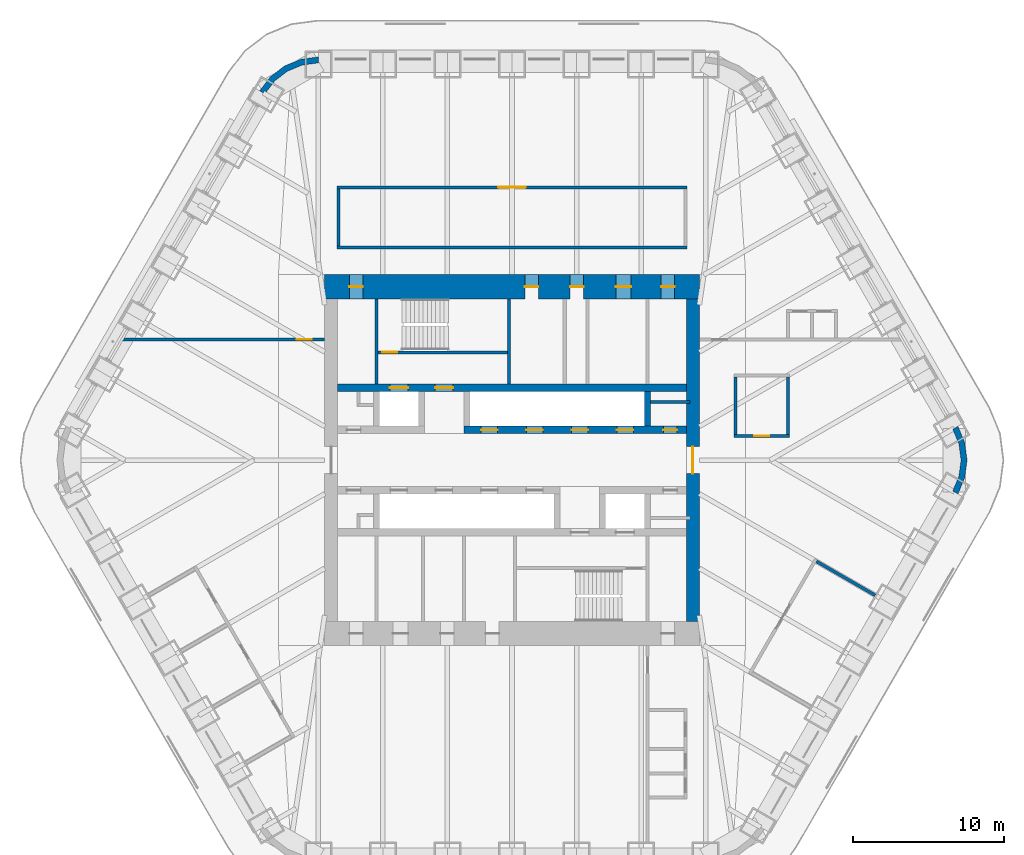
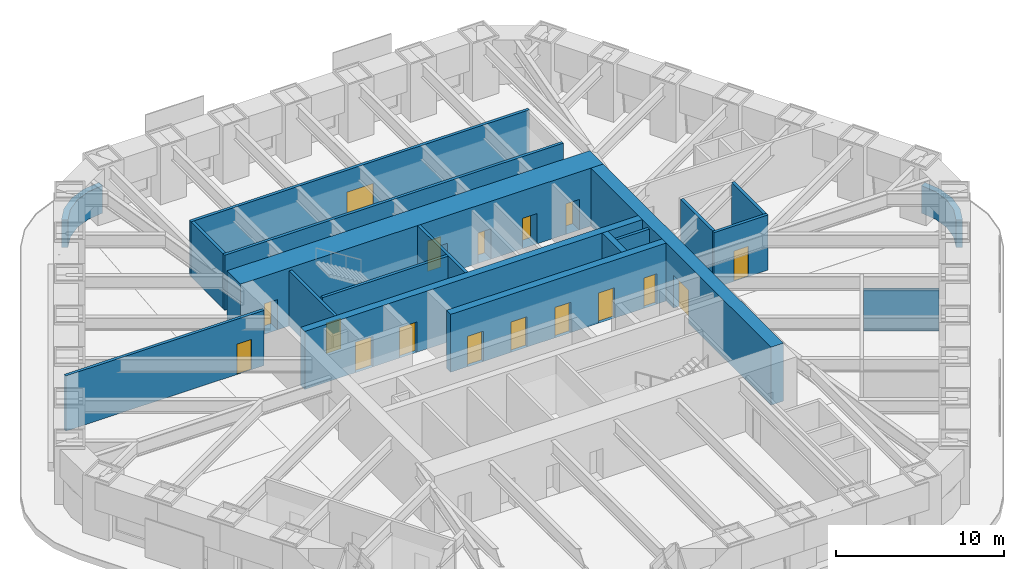
# One storey, part 15 of 18: 19 walls, 17 doors, 17 openings.
"""IFC4 building model written with IfcOpenShell, lengths in metres."""

import ifcopenshell
import ifcopenshell.guid

model = None  # the IFC model being written
_history = None  # IfcOwnerHistory: only IFC2X3 demands one
_inside = {}  # id of a spatial element -> (the spatial element, [elements in it])
_under = {}  # id of a project, library or spatial element -> (it, [spatial elements below it])
_declared = {}  # id of a project -> (the project, [libraries it declares])
_typed = {}  # id of a type object -> (the type object, [elements of that type])
_made_of = {}  # id of a material, layer set ... -> (it, [elements and type objects made of it])


def new_model(schema):
    """Start an empty IFC model of exactly this schema.

    Asked for "IFC4X3", IfcOpenShell would pick the latest addendum, in which some entities
    have other attributes; the version numbers below select the first issue.
    IFC2X3 requires an IfcOwnerHistory on every rooted entity: one is made here for all.
    """
    global model, _history
    if schema == "IFC4X3":
        model = ifcopenshell.file(schema_version=(4, 3, 0, 0))
    else:
        model = ifcopenshell.file(schema=schema)
    _inside.clear()
    _under.clear()
    _declared.clear()
    _typed.clear()
    _made_of.clear()
    _history = None
    if model.schema == "IFC2X3":
        org = make("IfcOrganization", Name="unknown")
        user = make(
            "IfcPersonAndOrganization",
            ThePerson=make("IfcPerson", FamilyName="unknown"),
            TheOrganization=org,
        )
        app = make(
            "IfcApplication",
            ApplicationDeveloper=org,
            Version="unknown",
            ApplicationFullName="unknown",
            ApplicationIdentifier="unknown",
        )
        _history = make(
            "IfcOwnerHistory",
            OwningUser=user,
            OwningApplication=app,
            ChangeAction="ADDED",
            CreationDate=0,
        )
    return model


def make(cls, **values):
    """One entity of the class cls with the attributes given. An attribute that is None is left unset."""
    return model.create_entity(
        cls, **{name: value for name, value in values.items() if value is not None}
    )


def rooted(cls, **values):
    """An entity with a GlobalId (a new one), such as an element, a storey or a relation."""
    return make(cls, GlobalId=ifcopenshell.guid.new(), OwnerHistory=_history, **values)


def si_unit(unit_type, name, prefix=None):
    """IfcSIUnit, for example si_unit("LENGTHUNIT", "METRE", prefix="MILLI")."""
    return make("IfcSIUnit", UnitType=unit_type, Prefix=prefix, Name=name)


def assignment(units):
    """IfcUnitAssignment: the units of a project."""
    return None if units is None else make("IfcUnitAssignment", Units=units)


def point(xyz):
    """IfcCartesianPoint."""
    return None if xyz is None else make("IfcCartesianPoint", Coordinates=xyz)


def direction(xyz):
    """IfcDirection."""
    return None if xyz is None else make("IfcDirection", DirectionRatios=xyz)


def frame(location, z_axis=None, x_axis=None):
    """IfcAxis2Placement3D, a coordinate frame: its origin and axes. An axis left out is left unset."""
    return make(
        "IfcAxis2Placement3D",
        Location=point(location),
        Axis=direction(z_axis),
        RefDirection=direction(x_axis),
    )


def frame_2d(location, x_axis=None):
    """IfcAxis2Placement2D, a coordinate frame in the plane: its origin and x axis."""
    return make(
        "IfcAxis2Placement2D", Location=point(location), RefDirection=direction(x_axis)
    )


def origin():
    """The frame at (0, 0, 0) with its axes left unset."""
    return frame((0.0, 0.0, 0.0))


def place(relative_to, where):
    """IfcLocalPlacement: puts the frame where relative to a parent placement (None: the world)."""
    return make(
        "IfcLocalPlacement", PlacementRelTo=relative_to, RelativePlacement=where
    )


def context(
    kind, dimensions, precision=None, world=None, true_north=None, identifier=None
):
    """IfcGeometricRepresentationContext, for example the 3D "Model" context."""
    return make(
        "IfcGeometricRepresentationContext",
        ContextIdentifier=identifier,
        ContextType=kind,
        CoordinateSpaceDimension=dimensions,
        Precision=precision,
        WorldCoordinateSystem=world,
        TrueNorth=true_north,
    )


def subcontext(parent, identifier, kind, view, scale=None):
    """IfcGeometricRepresentationSubContext, for example "Body" below "Model"."""
    return make(
        "IfcGeometricRepresentationSubContext",
        ContextIdentifier=identifier,
        ContextType=kind,
        ParentContext=parent,
        TargetScale=scale,
        TargetView=view,
    )


def project(units=None, contexts=None):
    """IfcProject with its units and contexts."""
    return rooted(
        "IfcProject",
        Name="project",
        RepresentationContexts=contexts,
        UnitsInContext=assignment(units),
    )


def spatial(cls, under=None, at=None, **own):
    """A site, building, storey or space (cls), placed at a placement, below another one or the project."""
    s = rooted(cls, ObjectPlacement=at, **own)
    if under is not None:
        _under.setdefault(under.id(), (under, []))[1].append(s)
    return s


def polyline(points):
    """IfcPolyline through the points."""
    return make("IfcPolyline", Points=[point(p) for p in points])


def profile(cls, at=None, kind="AREA", **sizes):
    """A parametric profile (cls). Its sizes go by their IFC names, for example OverallWidth=200.0."""
    return make(cls, ProfileType=kind, Position=at, **sizes)


def rectangle(**sizes):
    """IfcRectangleProfileDef."""
    return profile("IfcRectangleProfileDef", **sizes)


def outline(outer, holes=None, kind="AREA"):
    """IfcArbitraryClosedProfileDef: a profile drawn as a closed curve; with holes, ...WithVoids."""
    if holes is None:
        return make("IfcArbitraryClosedProfileDef", ProfileType=kind, OuterCurve=outer)
    return make(
        "IfcArbitraryProfileDefWithVoids",
        ProfileType=kind,
        OuterCurve=outer,
        InnerCurves=holes,
    )


def extrude(swept, where, along, depth):
    """IfcExtrudedAreaSolid: the profile swept, set in the frame where, extruded along a direction by depth."""
    return make(
        "IfcExtrudedAreaSolid",
        SweptArea=swept,
        Position=where,
        ExtrudedDirection=direction(along),
        Depth=depth,
    )


def shape(context_of_items, identifier, shape_type, items):
    """IfcShapeRepresentation: the items that make up one representation, for example the "Body"."""
    return make(
        "IfcShapeRepresentation",
        ContextOfItems=context_of_items,
        RepresentationIdentifier=identifier,
        RepresentationType=shape_type,
        Items=items,
    )


def material(Name=None, Category=None):
    """IfcMaterial."""
    return make("IfcMaterial", Name=Name, Category=Category)


def layer(
    of_material, thickness, ventilated=None, Name=None, Category=None, Priority=None
):
    """IfcMaterialLayer: one layer of a wall or slab, of a material (None: an air gap)."""
    return make(
        "IfcMaterialLayer",
        Material=of_material,
        LayerThickness=thickness,
        IsVentilated=ventilated,
        Name=Name,
        Category=Category,
        Priority=Priority,
    )


def layer_set(layers, Name=None):
    """IfcMaterialLayerSet."""
    return make("IfcMaterialLayerSet", MaterialLayers=layers, LayerSetName=Name)


def made_of(thing, what):
    """Note that an element or type object is made of a material, layer set ...; save() writes the relation."""
    if what is not None:
        _made_of.setdefault(what.id(), (what, []))[1].append(thing)
    return thing


def type_object(cls, material=None, **own):
    """A type object (cls), such as IfcWallType, which elements share."""
    return made_of(rooted(cls, **own), material)


def element(
    cls,
    number,
    at=None,
    inside=None,
    cuts=None,
    type_object=None,
    material=None,
    context=None,
    identifier="Body",
    shape_type=None,
    held_by="IfcProductDefinitionShape",
    body=None,
    shapes=None,
    **own,
):
    """One element of the class cls, such as IfcWall. Its Tag is "e" and its number.

    at: its placement. inside: the storey or other place that contains it. cuts: it is an
    opening in that element (IfcRelVoidsElement). A single representation is given by context,
    identifier, shape_type and body (its items); several are given by shapes. held_by: the class
    of the entity that holds the representations. save() writes the other relations.
    """
    e = rooted(cls, Tag="e%d" % number, ObjectPlacement=at, **own)
    if body is not None:
        shapes = [shape(context, identifier, shape_type, body)]
    if shapes is not None:
        e.Representation = make(held_by, Representations=shapes)
    if inside is not None:
        _inside.setdefault(inside.id(), (inside, []))[1].append(e)
    if cuts is not None:
        rooted(
            "IfcRelVoidsElement", RelatingBuildingElement=cuts, RelatedOpeningElement=e
        )
    if type_object is not None:
        _typed.setdefault(type_object.id(), (type_object, []))[1].append(e)
    return made_of(e, material)


def fill(opening, filler):
    """IfcRelFillsElement: the door or window that sits in an opening."""
    return rooted(
        "IfcRelFillsElement",
        RelatingOpeningElement=opening,
        RelatedBuildingElement=filler,
    )


def aggregate(whole, parts):
    """IfcRelAggregates: a whole, such as a stair, and the parts it consists of."""
    return rooted("IfcRelAggregates", RelatingObject=whole, RelatedObjects=parts)


def save(model, path):
    """Write the relations noted so far, then the file.

    IfcRelAggregates (storeys below a building ...), IfcRelContainedInSpatialStructure (elements
    in a storey), IfcRelDefinesByType, IfcRelAssociatesMaterial and IfcRelDeclares: one each for
    every whole, place, type object, material and project.
    """
    for whole, parts in _under.values():
        aggregate(whole, parts)
    for where, things in _inside.values():
        rooted(
            "IfcRelContainedInSpatialStructure",
            RelatedElements=things,
            RelatingStructure=where,
        )
    for kind, things in _typed.values():
        rooted("IfcRelDefinesByType", RelatedObjects=things, RelatingType=kind)
    for what, things in _made_of.values():
        rooted("IfcRelAssociatesMaterial", RelatedObjects=things, RelatingMaterial=what)
    for by, libraries in _declared.values():
        rooted("IfcRelDeclares", RelatingContext=by, RelatedDefinitions=libraries)
    model.write(path)


model = new_model("IFC4")

# Units and contexts
model_context = context("Model", 3, precision=1e-05, world=origin(), true_north=direction((0.0, 1.0)))
body_context = subcontext(model_context, "Body", "Model", "MODEL_VIEW")
ifc_project = project(units=[si_unit("LENGTHUNIT", "METRE"), si_unit("AREAUNIT", "SQUARE_METRE"), si_unit("VOLUMEUNIT", "CUBIC_METRE"), si_unit("PLANEANGLEUNIT", "RADIAN"), si_unit("MASSUNIT", "GRAM", prefix="KILO")], contexts=[model_context])

# Site, building, storey
site_placement = place(None, origin())
site = spatial("IfcSite", under=ifc_project, at=site_placement, CompositionType="ELEMENT")
building_placement = place(site_placement, origin())
building = spatial("IfcBuilding", under=site, at=building_placement, Name="Tarfa Lantern Tower", CompositionType="ELEMENT")
storey_placement = place(building_placement, frame((0.0, 0.0, 311.5)))
storey = spatial("IfcBuildingStorey", under=building, at=storey_placement, Name="L70", CompositionType="ELEMENT", Elevation=311.5)

# Walls
ifc_material_1 = material(Name="Limestone cladding on blockwork", Category="masonry")
ifc_layer_1 = layer(ifc_material_1, 0.39990234375)
ifc_layer_set_1 = layer_set([ifc_layer_1], Name="EW2 CURVED STONE CORNER 400")
wall_type_1 = type_object("IfcWallType", Name="EW2 CURVED STONE CORNER 400", PredefinedType="SOLIDWALL", material=ifc_layer_set_1)
wall_1_placement = place(storey_placement, origin())
element("IfcWall", 1, at=wall_1_placement, inside=storey, type_object=wall_type_1, Name="Stone corner N-NW", PredefinedType="SOLIDWALL", context=body_context, shape_type="SweptSolid", body=[
    extrude(outline(polyline([(-12.845947265625, 26.75), (-14.0107421875, 26.5966796875), (-15.095947265625, 26.147216796875), (-16.028076171875, 25.431884765625), (-16.7431640625, 24.5), (-16.396728515625, 24.300048828125), (-15.7451171875, 25.149169921875), (-14.89599609375, 25.80078125), (-13.9072265625, 26.210205078125), (-12.845947265625, 26.35009765625), (-12.845947265625, 26.75)])), origin(), (0.0, 0.0, 1.0), 2.0),
])
wall_2_placement = place(storey_placement, origin())
element("IfcWall", 2, at=wall_2_placement, inside=storey, type_object=wall_type_1, Name="Stone corner SE-NE", PredefinedType="SOLIDWALL", context=body_context, shape_type="SweptSolid", body=[
    extrude(outline(polyline([(29.589111328125, -2.25), (30.038818359375, -1.164794921875), (30.192138671875, 0.0), (30.038818359375, 1.164794921875), (29.589111328125, 2.25), (29.24267578125, 2.050048828125), (29.65234375, 1.061279296875), (29.7919921875, 0.0), (29.65234375, -1.061279296875), (29.24267578125, -2.050048828125), (29.589111328125, -2.25)])), origin(), (0.0, 0.0, 1.0), 2.0),
])
ifc_material_2 = material(Name="Concrete blockwork", Category="masonry")
ifc_layer_2 = layer(ifc_material_2, 0.199951171875)
ifc_layer_set_2 = layer_set([ifc_layer_2], Name="IW1 BLOCKWORK PARTITION 200 EI 120")
wall_type_2 = type_object("IfcWallType", Name="IW1 BLOCKWORK PARTITION 200 EI 120", PredefinedType="PARTITIONING", material=ifc_layer_set_2)
wall_3_placement = place(storey_placement, frame((-9.0, 5.050048828125, 0.0), z_axis=(0.0, 0.0, 1.0), x_axis=(0.0, 1.0, 0.0)))
element("IfcWall", 3, at=wall_3_placement, inside=storey, type_object=wall_type_2, Name="Core partition", PredefinedType="PARTITIONING", context=body_context, shape_type="SweptSolid", body=[
    extrude(rectangle(XDim=5.64990234375, YDim=0.199951171875, at=frame_2d((2.824951171875, 0.0))), origin(), (0.0, 0.0, 1.0), 4.0),
])
wall_4_placement = place(storey_placement, frame((9.199951171875, 3.85009765625, 0.0), z_axis=(0.0, 0.0, 1.0), x_axis=(1.0, 0.0, 0.0)))
element("IfcWall", 4, at=wall_4_placement, inside=storey, type_object=wall_type_2, Name="Core partition", PredefinedType="PARTITIONING", context=body_context, shape_type="SweptSolid", body=[
    extrude(rectangle(XDim=2.60009765625, YDim=0.199951171875, at=frame_2d((1.300048828125, 0.0))), origin(), (0.0, 0.0, 1.0), 4.0),
])
ifc_material_3 = material(Name="Gypsum board on steel studs", Category="steel")
ifc_layer_3 = layer(ifc_material_3, 0.2099609375)
ifc_layer_set_3 = layer_set([ifc_layer_3], Name="IW2 ACOUSTIC PARTITION 200")
wall_type_3 = type_object("IfcWallType", Name="IW2 ACOUSTIC PARTITION 200", PredefinedType="PARTITIONING", material=ifc_layer_set_3)
wall_5_placement = place(storey_placement, frame((-11.60009765625, 14.10009765625, 0.0), z_axis=(0.0, 0.0, 1.0), x_axis=(1.0, 0.0, 0.0)))
element("IfcWall", 5, at=wall_5_placement, inside=storey, type_object=wall_type_3, Name="Partition", PredefinedType="PARTITIONING", context=body_context, shape_type="SweptSolid", body=[
    extrude(rectangle(XDim=23.2001953125, YDim=0.199951171875, at=frame_2d((11.60009765625, 0.0))), origin(), (0.0, 0.0, 1.0), 4.0),
])

# Wall, opening, door
wall_6_placement = place(storey_placement, frame((-11.60009765625, 18.10009765625, 0.0), z_axis=(0.0, 0.0, 1.0), x_axis=(1.0, 0.0, 0.0)))
wall_6 = element("IfcWall", 6, at=wall_6_placement, inside=storey, type_object=wall_type_3, Name="Partition", PredefinedType="PARTITIONING", context=body_context, shape_type="SweptSolid", body=[
    extrude(rectangle(XDim=23.2001953125, YDim=0.199951171875, at=frame_2d((11.60009765625, 0.0))), origin(), (0.0, 0.0, 1.0), 4.0),
])
opening_1_placement = place(wall_6_placement, frame((10.699951171875, 0.0, 0.0)))
opening_1 = element("IfcOpeningElement", 7, at=opening_1_placement, cuts=wall_6, Name="Opening D26", PredefinedType="OPENING", context=body_context, shape_type="SweptSolid", body=[
    extrude(rectangle(XDim=1.800048828125, YDim=2.39990234375, at=frame_2d((0.89990234375, 1.199951171875))), frame((0.0, 0.10986328125, 0.0), z_axis=(0.0, -1.0, 0.0), x_axis=(1.0, 0.0, 0.0)), (0.0, 0.0, 1.0), 0.219970703125),
])
ifc_material_4 = material(Name="Timber door", Category="wood")
door_type_1 = type_object("IfcDoorType", Name="DR2 ROOM DOOR 1800x2400", OperationType="DOUBLE_DOOR_SINGLE_SWING", PredefinedType="DOOR", material=ifc_material_4)
door_1_placement = place(opening_1_placement, frame((1.800048828125, 0.0, 0.0), z_axis=(0.0, 0.0, 1.0), x_axis=(-1.0, 0.0, 0.0)))
door_1 = element("IfcDoor", 8, at=door_1_placement, inside=storey, type_object=door_type_1, Name="Meeting room door", OperationType="DOUBLE_DOOR_SINGLE_SWING", OverallHeight=2.39990234375, OverallWidth=1.800048828125, PredefinedType="DOOR", context=body_context, shape_type="SweptSolid", body=[
    extrude(rectangle(XDim=1.800048828125, YDim=2.39990234375, at=frame_2d((0.89990234375, 1.199951171875))), frame((0.0, 0.02490234375, 0.0), z_axis=(0.0, -1.0, 0.0), x_axis=(1.0, 0.0, 0.0)), (0.0, 0.0, 1.0), 0.050048828125),
])
fill(opening_1, door_1)

# Walls
wall_7_placement = place(storey_placement, frame((-11.5, 14.199951171875, 0.0), z_axis=(0.0, 0.0, 1.0), x_axis=(0.0, 1.0, 0.0)))
element("IfcWall", 9, at=wall_7_placement, inside=storey, type_object=wall_type_3, Name="Partition", PredefinedType="PARTITIONING", context=body_context, shape_type="SweptSolid", body=[
    extrude(rectangle(XDim=3.800048828125, YDim=0.199951171875, at=frame_2d((1.89990234375, 0.0))), origin(), (0.0, 0.0, 1.0), 4.0),
])
wall_8_placement = place(storey_placement, frame((20.19775390625, -6.716552734375, 0.0), z_axis=(0.0, 0.0, 1.0), x_axis=(0.866017533419, -0.500013631625, 0.0)))
element("IfcWall", 10, at=wall_8_placement, inside=storey, type_object=wall_type_3, Name="Partition", PredefinedType="PARTITIONING", context=body_context, shape_type="SweptSolid", body=[
    extrude(rectangle(XDim=4.499755859375, YDim=0.199951171875, at=frame_2d((2.25, 0.0))), origin(), (0.0, 0.0, 1.0), 2.991943359375),
])

# Wall, opening, door
wall_9_placement = place(storey_placement, frame((14.72509765625, 1.60009765625, 0.0), z_axis=(0.0, 0.0, 1.0), x_axis=(1.0, 0.0, 0.0)))
wall_9 = element("IfcWall", 11, at=wall_9_placement, inside=storey, type_object=wall_type_3, Name="Partition", PredefinedType="PARTITIONING", context=body_context, shape_type="SweptSolid", body=[
    extrude(rectangle(XDim=3.699951171875, YDim=0.199951171875, at=frame_2d((1.85009765625, 0.0))), origin(), (0.0, 0.0, 1.0), 4.0),
])
opening_2_placement = place(wall_9_placement, frame((1.35009765625, 0.0, 0.0)))
opening_2 = element("IfcOpeningElement", 12, at=opening_2_placement, cuts=wall_9, Name="Opening D21", PredefinedType="OPENING", context=body_context, shape_type="SweptSolid", body=[
    extrude(rectangle(XDim=1.0, YDim=2.199951171875, at=frame_2d((0.5, 1.10009765625))), frame((0.0, 0.10986328125, 0.0), z_axis=(0.0, -1.0, 0.0), x_axis=(1.0, 0.0, 0.0)), (0.0, 0.0, 1.0), 0.219970703125),
])
door_type_2 = type_object("IfcDoorType", Name="DR1 ROOM DOOR 1000x2200", OperationType="SINGLE_SWING_LEFT", PredefinedType="DOOR", material=ifc_material_4)
door_2_placement = place(opening_2_placement, origin())
door_2 = element("IfcDoor", 13, at=door_2_placement, inside=storey, type_object=door_type_2, Name="Servery door", OperationType="SINGLE_SWING_RIGHT", OverallHeight=2.199951171875, OverallWidth=1.0, PredefinedType="DOOR", context=body_context, shape_type="SweptSolid", body=[
    extrude(rectangle(XDim=1.0, YDim=2.199951171875, at=frame_2d((0.5, 1.10009765625))), frame((0.0, 0.02490234375, 0.0), z_axis=(0.0, -1.0, 0.0), x_axis=(1.0, 0.0, 0.0)), (0.0, 0.0, 1.0), 0.050048828125),
])
fill(opening_2, door_2)

# Walls
for number, where, z_axis, x_axis, name in (
    (14, (14.824951171875, 1.699951171875, 0.0), (0.0, 0.0, 1.0), (0.0, 1.0, 0.0), "Partition"),
    (15, (18.324951171875, 1.699951171875, 0.0), (0.0, 0.0, 1.0), (0.0, 1.0, 0.0), "Partition"),
):
    element("IfcWall", number, at=place(storey_placement, frame(where, z_axis=z_axis, x_axis=x_axis)), inside=storey, type_object=wall_type_3, Name=name, PredefinedType="PARTITIONING", context=body_context, shape_type="SweptSolid", body=[
        extrude(rectangle(XDim=3.800048828125, YDim=0.199951171875, at=frame_2d((1.89990234375, 0.0))), origin(), (0.0, 0.0, 1.0), 4.0),
    ])

# Wall, opening, door
wall_10_placement = place(storey_placement, frame((-12.425048828125, 8.0, 0.0), z_axis=(0.0, 0.0, 1.0), x_axis=(-1.0, 0.0, 0.0)))
wall_10 = element("IfcWall", 16, at=wall_10_placement, inside=storey, type_object=wall_type_3, Name="Partition", PredefinedType="PARTITIONING", context=body_context, shape_type="SweptSolid", body=[
    extrude(rectangle(XDim=13.59033203125, YDim=0.199951171875, at=frame_2d((6.795166015625, 0.0))), origin(), (0.0, 0.0, 1.0), 4.0),
])
opening_3_placement = place(wall_10_placement, frame((0.859130859375, 0.0, 0.0)))
opening_3 = element("IfcOpeningElement", 17, at=opening_3_placement, cuts=wall_10, Name="Opening D34", PredefinedType="OPENING", context=body_context, shape_type="SweptSolid", body=[
    extrude(rectangle(XDim=1.0, YDim=2.199951171875, at=frame_2d((0.5, 1.10009765625))), frame((0.0, 0.10986328125, 0.0), z_axis=(0.0, -1.0, 0.0), x_axis=(1.0, 0.0, 0.0)), (0.0, 0.0, 1.0), 0.219970703125),
])
door_3_placement = place(opening_3_placement, frame((1.0, 0.0, 0.0), z_axis=(0.0, 0.0, 1.0), x_axis=(-1.0, 0.0, 0.0)))
door_3 = element("IfcDoor", 18, at=door_3_placement, inside=storey, type_object=door_type_2, Name="Zone door", OperationType="SINGLE_SWING_LEFT", OverallHeight=2.199951171875, OverallWidth=1.0, PredefinedType="DOOR", context=body_context, shape_type="SweptSolid", body=[
    extrude(rectangle(XDim=1.0, YDim=2.199951171875, at=frame_2d((0.5, 1.10009765625))), frame((0.0, 0.02490234375, 0.0), z_axis=(0.0, -1.0, 0.0), x_axis=(1.0, 0.0, 0.0)), (0.0, 0.0, 1.0), 0.050048828125),
])
fill(opening_3, door_3)

# Wall
ifc_material_5 = material(Name="Concrete C80/95", Category="concrete")
ifc_layer_4 = layer(ifc_material_5, 0.199951171875)
ifc_layer_set_4 = layer_set([ifc_layer_4], Name="SW12 CORE WALL 200")
wall_type_4 = type_object("IfcWallType", Name="SW12 CORE WALL 200", PredefinedType="SHEAR", material=ifc_layer_set_4)
wall_11_placement = place(storey_placement, frame((-0.199951171875, 5.050048828125, 0.0), z_axis=(0.0, 0.0, 1.0), x_axis=(0.0, 1.0, 0.0)))
element("IfcWall", 19, at=wall_11_placement, inside=storey, type_object=wall_type_4, Name="Core wall stair shaft N", PredefinedType="SHEAR", context=body_context, shape_type="SweptSolid", body=[
    extrude(rectangle(XDim=5.64990234375, YDim=0.199951171875, at=frame_2d((2.824951171875, 0.0))), origin(), (0.0, 0.0, 1.0), 4.199951171875),
])

# Wall, opening, door
wall_12_placement = place(storey_placement, frame((-8.89990234375, 7.14990234375, 0.0), z_axis=(0.0, 0.0, 1.0), x_axis=(1.0, 0.0, 0.0)))
wall_12 = element("IfcWall", 20, at=wall_12_placement, inside=storey, type_object=wall_type_4, Name="Core wall stair partition N", PredefinedType="SHEAR", context=body_context, shape_type="SweptSolid", body=[
    extrude(rectangle(XDim=8.599853515625, YDim=0.199951171875, at=frame_2d((4.2998046875, 0.0))), origin(), (0.0, 0.0, 1.0), 4.199951171875),
])
opening_4_placement = place(wall_12_placement, frame((0.300048828125, 0.0, 0.0)))
opening_4 = element("IfcOpeningElement", 21, at=opening_4_placement, cuts=wall_12, Name="Opening D19", PredefinedType="OPENING", context=body_context, shape_type="SweptSolid", body=[
    extrude(rectangle(XDim=1.0, YDim=2.199951171875, at=frame_2d((0.5, 1.10009765625))), frame((0.0, 0.10986328125, 0.0), z_axis=(0.0, -1.0, 0.0), x_axis=(1.0, 0.0, 0.0)), (0.0, 0.0, 1.0), 0.219970703125),
])
ifc_material_6 = material(Name="Steel fire door", Category="steel")
door_type_3 = type_object("IfcDoorType", Name="DF2 STAIR DOOR 1000x2200", OperationType="SINGLE_SWING_LEFT", PredefinedType="DOOR", material=ifc_material_6)
door_4_placement = place(opening_4_placement, origin())
door_4 = element("IfcDoor", 22, at=door_4_placement, inside=storey, type_object=door_type_3, Name="Stair door", OperationType="SINGLE_SWING_RIGHT", OverallHeight=2.199951171875, OverallWidth=1.0, PredefinedType="DOOR", context=body_context, shape_type="SweptSolid", body=[
    extrude(rectangle(XDim=1.0, YDim=2.199951171875, at=frame_2d((0.5, 1.10009765625))), frame((0.0, 0.02490234375, 0.0), z_axis=(0.0, -1.0, 0.0), x_axis=(1.0, 0.0, 0.0)), (0.0, 0.0, 1.0), 0.050048828125),
])
fill(opening_4, door_4)

ifc_layer_5 = layer(ifc_material_5, 0.85009765625)
ifc_layer_set_5 = layer_set([ifc_layer_5], Name="SW3 CORE WALL 850")
wall_type_5 = type_object("IfcWallType", Name="SW3 CORE WALL 850", PredefinedType="SHEAR", material=ifc_layer_set_5)
wall_13_placement = place(storey_placement, frame((12.0, -10.699951171875, 0.0), z_axis=(0.0, 0.0, 1.0), x_axis=(0.0, 1.0, 0.0)))
wall_13 = element("IfcWall", 23, at=wall_13_placement, inside=storey, type_object=wall_type_5, Name="Core wall E", PredefinedType="SHEAR", context=body_context, shape_type="SweptSolid", body=[
    extrude(rectangle(XDim=21.39990234375, YDim=0.85009765625, at=frame_2d((10.699951171875, 0.0))), origin(), (0.0, 0.0, 1.0), 4.199951171875),
])
opening_5_placement = place(wall_13_placement, frame((9.800048828125, 0.0, 0.0)))
opening_5 = element("IfcOpeningElement", 24, at=opening_5_placement, cuts=wall_13, Name="Opening D07", PredefinedType="OPENING", context=body_context, shape_type="SweptSolid", body=[
    extrude(rectangle(XDim=1.800048828125, YDim=2.39990234375, at=frame_2d((0.89990234375, 1.199951171875))), frame((0.0, 0.43505859375, 0.0), z_axis=(0.0, -1.0, 0.0), x_axis=(1.0, 0.0, 0.0)), (0.0, 0.0, 1.0), 0.8701171875),
])
door_type_4 = type_object("IfcDoorType", Name="DL1 LOBBY DOOR 1800x2400", OperationType="DOUBLE_DOOR_SINGLE_SWING", PredefinedType="DOOR", material=ifc_material_6)
door_5_placement = place(opening_5_placement, frame((1.800048828125, 0.0, 0.0), z_axis=(0.0, 0.0, 1.0), x_axis=(-1.0, 0.0, 0.0)))
door_5 = element("IfcDoor", 25, at=door_5_placement, inside=storey, type_object=door_type_4, Name="Lift lobby door", OperationType="DOUBLE_DOOR_SINGLE_SWING", OverallHeight=2.39990234375, OverallWidth=1.800048828125, PredefinedType="DOOR", context=body_context, shape_type="SweptSolid", body=[
    extrude(rectangle(XDim=1.800048828125, YDim=2.39990234375, at=frame_2d((0.89990234375, 1.199951171875))), frame((0.0, 0.02490234375, 0.0), z_axis=(0.0, -1.0, 0.0), x_axis=(1.0, 0.0, 0.0)), (0.0, 0.0, 1.0), 0.050048828125),
])
fill(opening_5, door_5)

# Wall, openings, doors
ifc_layer_6 = layer(ifc_material_5, 0.5)
ifc_layer_set_6 = layer_set([ifc_layer_6], Name="SW5 CORE WALL 500")
wall_type_6 = type_object("IfcWallType", Name="SW5 CORE WALL 500", PredefinedType="SHEAR", material=ifc_layer_set_6)
wall_14_placement = place(storey_placement, frame((-3.199951171875, 2.0, 0.0), z_axis=(0.0, 0.0, 1.0), x_axis=(1.0, 0.0, 0.0)))
wall_14 = element("IfcWall", 26, at=wall_14_placement, inside=storey, type_object=wall_type_6, Name="Core wall lobby east N", PredefinedType="SHEAR", context=body_context, shape_type="SweptSolid", body=[
    extrude(rectangle(XDim=14.77490234375, YDim=0.5, at=frame_2d((7.387451171875, 0.0))), origin(), (0.0, 0.0, 1.0), 4.199951171875),
])
opening_6_placement = place(wall_14_placement, frame((13.25, 0.0, 0.0)))
opening_6 = element("IfcOpeningElement", 27, at=opening_6_placement, cuts=wall_14, Name="Opening D09", PredefinedType="OPENING", context=body_context, shape_type="SweptSolid", body=[
    extrude(rectangle(XDim=0.89990234375, YDim=2.199951171875, at=frame_2d((0.449951171875, 1.10009765625))), frame((0.0, 0.260009765625, 0.0), z_axis=(0.0, -1.0, 0.0), x_axis=(1.0, 0.0, 0.0)), (0.0, 0.0, 1.0), 0.52001953125),
])
opening_7_placement = place(wall_14_placement, frame((1.14990234375, 0.0, 0.0)))
opening_7 = element("IfcOpeningElement", 28, at=opening_7_placement, cuts=wall_14, Name="Opening LD03", PredefinedType="OPENING", context=body_context, shape_type="SweptSolid", body=[
    extrude(rectangle(XDim=1.10009765625, YDim=2.199951171875, at=frame_2d((0.550048828125, 1.10009765625))), frame((0.0, 0.260009765625, 0.0), z_axis=(0.0, -1.0, 0.0), x_axis=(1.0, 0.0, 0.0)), (0.0, 0.0, 1.0), 0.52001953125),
])
opening_8_placement = place(wall_14_placement, frame((4.14990234375, 0.0, 0.0)))
opening_8 = element("IfcOpeningElement", 29, at=opening_8_placement, cuts=wall_14, Name="Opening LD04", PredefinedType="OPENING", context=body_context, shape_type="SweptSolid", body=[
    extrude(rectangle(XDim=1.10009765625, YDim=2.199951171875, at=frame_2d((0.550048828125, 1.10009765625))), frame((0.0, 0.260009765625, 0.0), z_axis=(0.0, -1.0, 0.0), x_axis=(1.0, 0.0, 0.0)), (0.0, 0.0, 1.0), 0.52001953125),
])
opening_9_placement = place(wall_14_placement, frame((7.14990234375, 0.0, 0.0)))
opening_9 = element("IfcOpeningElement", 30, at=opening_9_placement, cuts=wall_14, Name="Opening LD05", PredefinedType="OPENING", context=body_context, shape_type="SweptSolid", body=[
    extrude(rectangle(XDim=1.10009765625, YDim=2.199951171875, at=frame_2d((0.550048828125, 1.10009765625))), frame((0.0, 0.260009765625, 0.0), z_axis=(0.0, -1.0, 0.0), x_axis=(1.0, 0.0, 0.0)), (0.0, 0.0, 1.0), 0.52001953125),
])
opening_10_placement = place(wall_14_placement, frame((10.14990234375, 0.0, 0.0)))
opening_10 = element("IfcOpeningElement", 31, at=opening_10_placement, cuts=wall_14, Name="Opening LD06", PredefinedType="OPENING", context=body_context, shape_type="SweptSolid", body=[
    extrude(rectangle(XDim=1.10009765625, YDim=2.199951171875, at=frame_2d((0.550048828125, 1.10009765625))), frame((0.0, 0.260009765625, 0.0), z_axis=(0.0, -1.0, 0.0), x_axis=(1.0, 0.0, 0.0)), (0.0, 0.0, 1.0), 0.52001953125),
])
door_type_5 = type_object("IfcDoorType", Name="DF6 SERVICE ROOM DOOR 900x2200", OperationType="SINGLE_SWING_LEFT", PredefinedType="DOOR", material=ifc_material_6)
door_6_placement = place(opening_6_placement, origin())
door_6 = element("IfcDoor", 32, at=door_6_placement, inside=storey, type_object=door_type_5, Name="Service room door", OperationType="SINGLE_SWING_LEFT", OverallHeight=2.199951171875, OverallWidth=0.89990234375, PredefinedType="DOOR", context=body_context, shape_type="SweptSolid", body=[
    extrude(rectangle(XDim=0.89990234375, YDim=2.199951171875, at=frame_2d((0.449951171875, 1.10009765625))), frame((0.0, 0.02490234375, 0.0), z_axis=(0.0, -1.0, 0.0), x_axis=(1.0, 0.0, 0.0)), (0.0, 0.0, 1.0), 0.050048828125),
])
fill(opening_6, door_6)
ifc_material_7 = material(Name="Stainless steel lift door", Category="steel")
door_type_6 = type_object("IfcDoorType", Name="LD2 LIFT LANDING DOOR 1100x2200", OperationType="SLIDING_TO_LEFT", PredefinedType="DOOR", material=ifc_material_7)
door_7_placement = place(opening_7_placement, frame((1.10009765625, 0.0, 0.0), z_axis=(0.0, 0.0, 1.0), x_axis=(-1.0, 0.0, 0.0)))
door_7 = element("IfcDoor", 33, at=door_7_placement, inside=storey, type_object=door_type_6, Name="Landing door PD1", OperationType="SLIDING_TO_LEFT", OverallHeight=2.199951171875, OverallWidth=1.10009765625, PredefinedType="DOOR", context=body_context, shape_type="SweptSolid", body=[
    extrude(rectangle(XDim=1.10009765625, YDim=2.199951171875, at=frame_2d((0.550048828125, 1.10009765625))), frame((0.0, 0.02490234375, 0.0), z_axis=(0.0, -1.0, 0.0), x_axis=(1.0, 0.0, 0.0)), (0.0, 0.0, 1.0), 0.050048828125),
])
fill(opening_7, door_7)
door_8_placement = place(opening_8_placement, frame((1.10009765625, 0.0, 0.0), z_axis=(0.0, 0.0, 1.0), x_axis=(-1.0, 0.0, 0.0)))
door_8 = element("IfcDoor", 34, at=door_8_placement, inside=storey, type_object=door_type_6, Name="Landing door PD2", OperationType="SLIDING_TO_LEFT", OverallHeight=2.199951171875, OverallWidth=1.10009765625, PredefinedType="DOOR", context=body_context, shape_type="SweptSolid", body=[
    extrude(rectangle(XDim=1.10009765625, YDim=2.199951171875, at=frame_2d((0.550048828125, 1.10009765625))), frame((0.0, 0.02490234375, 0.0), z_axis=(0.0, -1.0, 0.0), x_axis=(1.0, 0.0, 0.0)), (0.0, 0.0, 1.0), 0.050048828125),
])
fill(opening_8, door_8)
door_9_placement = place(opening_9_placement, frame((1.10009765625, 0.0, 0.0), z_axis=(0.0, 0.0, 1.0), x_axis=(-1.0, 0.0, 0.0)))
door_9 = element("IfcDoor", 35, at=door_9_placement, inside=storey, type_object=door_type_6, Name="Landing door PD3", OperationType="SLIDING_TO_LEFT", OverallHeight=2.199951171875, OverallWidth=1.10009765625, PredefinedType="DOOR", context=body_context, shape_type="SweptSolid", body=[
    extrude(rectangle(XDim=1.10009765625, YDim=2.199951171875, at=frame_2d((0.550048828125, 1.10009765625))), frame((0.0, 0.02490234375, 0.0), z_axis=(0.0, -1.0, 0.0), x_axis=(1.0, 0.0, 0.0)), (0.0, 0.0, 1.0), 0.050048828125),
])
fill(opening_9, door_9)
door_10_placement = place(opening_10_placement, frame((1.10009765625, 0.0, 0.0), z_axis=(0.0, 0.0, 1.0), x_axis=(-1.0, 0.0, 0.0)))
door_10 = element("IfcDoor", 36, at=door_10_placement, inside=storey, type_object=door_type_6, Name="Landing door PD4", OperationType="SLIDING_TO_LEFT", OverallHeight=2.199951171875, OverallWidth=1.10009765625, PredefinedType="DOOR", context=body_context, shape_type="SweptSolid", body=[
    extrude(rectangle(XDim=1.10009765625, YDim=2.199951171875, at=frame_2d((0.550048828125, 1.10009765625))), frame((0.0, 0.02490234375, 0.0), z_axis=(0.0, -1.0, 0.0), x_axis=(1.0, 0.0, 0.0)), (0.0, 0.0, 1.0), 0.050048828125),
])
fill(opening_10, door_10)

wall_15_placement = place(storey_placement, frame((-11.574951171875, 4.800048828125, 0.0), z_axis=(0.0, 0.0, 1.0), x_axis=(1.0, 0.0, 0.0)))
wall_15 = element("IfcWall", 37, at=wall_15_placement, inside=storey, type_object=wall_type_6, Name="Core wall rear N", PredefinedType="SHEAR", context=body_context, shape_type="SweptSolid", body=[
    extrude(rectangle(XDim=23.14990234375, YDim=0.5, at=frame_2d((11.574951171875, 0.0))), origin(), (0.0, 0.0, 1.0), 4.199951171875),
])
opening_11_placement = place(wall_15_placement, frame((6.47509765625, 0.0, 0.0)))
opening_11 = element("IfcOpeningElement", 38, at=opening_11_placement, cuts=wall_15, Name="Opening D05", PredefinedType="OPENING", context=body_context, shape_type="SweptSolid", body=[
    extrude(rectangle(XDim=1.199951171875, YDim=2.199951171875, at=frame_2d((0.60009765625, 1.10009765625))), frame((0.0, 0.260009765625, 0.0), z_axis=(0.0, -1.0, 0.0), x_axis=(1.0, 0.0, 0.0)), (0.0, 0.0, 1.0), 0.52001953125),
])
opening_12_placement = place(wall_15_placement, frame((3.47509765625, 0.0, 0.0)))
opening_12 = element("IfcOpeningElement", 39, at=opening_12_placement, cuts=wall_15, Name="Opening LD01", PredefinedType="OPENING", context=body_context, shape_type="SweptSolid", body=[
    extrude(rectangle(XDim=1.199951171875, YDim=2.199951171875, at=frame_2d((0.60009765625, 1.10009765625))), frame((0.0, 0.260009765625, 0.0), z_axis=(0.0, -1.0, 0.0), x_axis=(1.0, 0.0, 0.0)), (0.0, 0.0, 1.0), 0.52001953125),
])
door_type_7 = type_object("IfcDoorType", Name="DF1 FIREFIGHTING LOBBY DOOR 1200x2200", OperationType="SINGLE_SWING_LEFT", PredefinedType="DOOR", material=ifc_material_6)
door_11_placement = place(opening_11_placement, origin())
door_11 = element("IfcDoor", 40, at=door_11_placement, inside=storey, type_object=door_type_7, Name="Firefighting lobby door", OperationType="SINGLE_SWING_LEFT", OverallHeight=2.199951171875, OverallWidth=1.199951171875, PredefinedType="DOOR", context=body_context, shape_type="SweptSolid", body=[
    extrude(rectangle(XDim=1.199951171875, YDim=2.199951171875, at=frame_2d((0.60009765625, 1.10009765625))), frame((0.0, 0.02490234375, 0.0), z_axis=(0.0, -1.0, 0.0), x_axis=(1.0, 0.0, 0.0)), (0.0, 0.0, 1.0), 0.050048828125),
])
fill(opening_11, door_11)
door_type_8 = type_object("IfcDoorType", Name="LD1 LIFT LANDING DOOR 1200x2200", OperationType="SLIDING_TO_LEFT", PredefinedType="DOOR", material=ifc_material_7)
door_12_placement = place(opening_12_placement, origin())
door_12 = element("IfcDoor", 41, at=door_12_placement, inside=storey, type_object=door_type_8, Name="Landing door FL1", OperationType="SLIDING_TO_LEFT", OverallHeight=2.199951171875, OverallWidth=1.199951171875, PredefinedType="DOOR", context=body_context, shape_type="SweptSolid", body=[
    extrude(rectangle(XDim=1.199951171875, YDim=2.199951171875, at=frame_2d((0.60009765625, 1.10009765625))), frame((0.0, 0.02490234375, 0.0), z_axis=(0.0, -1.0, 0.0), x_axis=(1.0, 0.0, 0.0)), (0.0, 0.0, 1.0), 0.050048828125),
])
fill(opening_12, door_12)

# Wall
ifc_layer_7 = layer(ifc_material_5, 0.39990234375)
ifc_layer_set_7 = layer_set([ifc_layer_7], Name="SW6 CORE WALL 400")
wall_type_7 = type_object("IfcWallType", Name="SW6 CORE WALL 400", PredefinedType="SHEAR", material=ifc_layer_set_7)
wall_16_placement = place(storey_placement, frame((9.0, 2.25, 0.0), z_axis=(0.0, 0.0, 1.0), x_axis=(0.0, 1.0, 0.0)))
element("IfcWall", 42, at=wall_16_placement, inside=storey, type_object=wall_type_7, Name="Core wall divider N", PredefinedType="SHEAR", context=body_context, shape_type="SweptSolid", body=[
    extrude(rectangle(XDim=2.300048828125, YDim=0.39990234375, at=frame_2d((1.14990234375, 0.0))), origin(), (0.0, 0.0, 1.0), 4.199951171875),
])

# Wall, openings, doors
ifc_layer_8 = layer(ifc_material_5, 1.60009765625)
ifc_layer_set_8 = layer_set([ifc_layer_8], Name="SW7 CORE WALL 1600")
wall_type_8 = type_object("IfcWallType", Name="SW7 CORE WALL 1600", PredefinedType="SHEAR", material=ifc_layer_set_8)
wall_17_placement = place(storey_placement, frame((-12.425048828125, 11.5, 0.0), z_axis=(0.0, 0.0, 1.0), x_axis=(1.0, 0.0, 0.0)))
wall_17 = element("IfcWall", 43, at=wall_17_placement, inside=storey, type_object=wall_type_8, Name="Core wall N", PredefinedType="SHEAR", context=body_context, shape_type="SweptSolid", body=[
    extrude(rectangle(XDim=24.85009765625, YDim=1.60009765625, at=frame_2d((12.425048828125, 0.0))), origin(), (0.0, 0.0, 1.0), 4.199951171875),
])
opening_13_placement = place(wall_17_placement, frame((13.27490234375, 0.0, 0.0)))
opening_13 = element("IfcOpeningElement", 44, at=opening_13_placement, cuts=wall_17, Name="Opening D13", PredefinedType="OPENING", context=body_context, shape_type="SweptSolid", body=[
    extrude(rectangle(XDim=0.89990234375, YDim=2.199951171875, at=frame_2d((0.449951171875, 1.10009765625))), frame((0.0, 0.81005859375, 0.0), z_axis=(0.0, -1.0, 0.0), x_axis=(1.0, 0.0, 0.0)), (0.0, 0.0, 1.0), 1.6201171875),
])
opening_14_placement = place(wall_17_placement, frame((16.27490234375, 0.0, 0.0)))
opening_14 = element("IfcOpeningElement", 45, at=opening_14_placement, cuts=wall_17, Name="Opening D15", PredefinedType="OPENING", context=body_context, shape_type="SweptSolid", body=[
    extrude(rectangle(XDim=0.89990234375, YDim=2.199951171875, at=frame_2d((0.449951171875, 1.10009765625))), frame((0.0, 0.81005859375, 0.0), z_axis=(0.0, -1.0, 0.0), x_axis=(1.0, 0.0, 0.0)), (0.0, 0.0, 1.0), 1.6201171875),
])
opening_15_placement = place(wall_17_placement, frame((19.324951171875, 0.0, 0.0)))
opening_15 = element("IfcOpeningElement", 46, at=opening_15_placement, cuts=wall_17, Name="Opening D17", PredefinedType="OPENING", context=body_context, shape_type="SweptSolid", body=[
    extrude(rectangle(XDim=1.0, YDim=2.199951171875, at=frame_2d((0.5, 1.10009765625))), frame((0.0, 0.81005859375, 0.0), z_axis=(0.0, -1.0, 0.0), x_axis=(1.0, 0.0, 0.0)), (0.0, 0.0, 1.0), 1.6201171875),
])
opening_16_placement = place(wall_17_placement, frame((1.637451171875, 0.0, 0.0)))
opening_16 = element("IfcOpeningElement", 47, at=opening_16_placement, cuts=wall_17, Name="Opening D03", PredefinedType="OPENING", context=body_context, shape_type="SweptSolid", body=[
    extrude(rectangle(XDim=0.89990234375, YDim=2.199951171875, at=frame_2d((0.449951171875, 1.10009765625))), frame((0.0, 0.81005859375, 0.0), z_axis=(0.0, -1.0, 0.0), x_axis=(1.0, 0.0, 0.0)), (0.0, 0.0, 1.0), 1.6201171875),
])
opening_17_placement = place(wall_17_placement, frame((22.3125, 0.0, 0.0)))
opening_17 = element("IfcOpeningElement", 48, at=opening_17_placement, cuts=wall_17, Name="Opening D01", PredefinedType="OPENING", context=body_context, shape_type="SweptSolid", body=[
    extrude(rectangle(XDim=0.89990234375, YDim=2.199951171875, at=frame_2d((0.449951171875, 1.10009765625))), frame((0.0, 0.81005859375, 0.0), z_axis=(0.0, -1.0, 0.0), x_axis=(1.0, 0.0, 0.0)), (0.0, 0.0, 1.0), 1.6201171875),
])
door_type_9 = type_object("IfcDoorType", Name="DF3 CORE ROOM DOOR 900x2200", OperationType="SINGLE_SWING_LEFT", PredefinedType="DOOR", material=ifc_material_6)
door_13_placement = place(opening_13_placement, frame((0.89990234375, 0.0, 0.0), z_axis=(0.0, 0.0, 1.0), x_axis=(-1.0, 0.0, 0.0)))
door_13 = element("IfcDoor", 49, at=door_13_placement, inside=storey, type_object=door_type_9, Name="Core door", OperationType="SINGLE_SWING_LEFT", OverallHeight=2.199951171875, OverallWidth=0.89990234375, PredefinedType="DOOR", context=body_context, shape_type="SweptSolid", body=[
    extrude(rectangle(XDim=0.89990234375, YDim=2.199951171875, at=frame_2d((0.449951171875, 1.10009765625))), frame((0.0, 0.02490234375, 0.0), z_axis=(0.0, -1.0, 0.0), x_axis=(1.0, 0.0, 0.0)), (0.0, 0.0, 1.0), 0.050048828125),
])
fill(opening_13, door_13)
door_14_placement = place(opening_14_placement, frame((0.89990234375, 0.0, 0.0), z_axis=(0.0, 0.0, 1.0), x_axis=(-1.0, 0.0, 0.0)))
door_14 = element("IfcDoor", 50, at=door_14_placement, inside=storey, type_object=door_type_9, Name="Core door", OperationType="SINGLE_SWING_RIGHT", OverallHeight=2.199951171875, OverallWidth=0.89990234375, PredefinedType="DOOR", context=body_context, shape_type="SweptSolid", body=[
    extrude(rectangle(XDim=0.89990234375, YDim=2.199951171875, at=frame_2d((0.449951171875, 1.10009765625))), frame((0.0, 0.02490234375, 0.0), z_axis=(0.0, -1.0, 0.0), x_axis=(1.0, 0.0, 0.0)), (0.0, 0.0, 1.0), 0.050048828125),
])
fill(opening_14, door_14)
door_type_10 = type_object("IfcDoorType", Name="DF4 CORE ROOM DOOR 1000x2200", OperationType="SINGLE_SWING_LEFT", PredefinedType="DOOR", material=ifc_material_6)
door_15_placement = place(opening_15_placement, frame((1.0, 0.0, 0.0), z_axis=(0.0, 0.0, 1.0), x_axis=(-1.0, 0.0, 0.0)))
door_15 = element("IfcDoor", 51, at=door_15_placement, inside=storey, type_object=door_type_10, Name="Core door", OperationType="SINGLE_SWING_RIGHT", OverallHeight=2.199951171875, OverallWidth=1.0, PredefinedType="DOOR", context=body_context, shape_type="SweptSolid", body=[
    extrude(rectangle(XDim=1.0, YDim=2.199951171875, at=frame_2d((0.5, 1.10009765625))), frame((0.0, 0.02490234375, 0.0), z_axis=(0.0, -1.0, 0.0), x_axis=(1.0, 0.0, 0.0)), (0.0, 0.0, 1.0), 0.050048828125),
])
fill(opening_15, door_15)
door_type_11 = type_object("IfcDoorType", Name="DF5 RISER DOOR 900x2200", OperationType="SINGLE_SWING_LEFT", PredefinedType="DOOR", material=ifc_material_6)
door_16_placement = place(opening_16_placement, frame((0.89990234375, 0.0, 0.0), z_axis=(0.0, 0.0, 1.0), x_axis=(-1.0, 0.0, 0.0)))
door_16 = element("IfcDoor", 52, at=door_16_placement, inside=storey, type_object=door_type_11, Name="Riser door", OperationType="SINGLE_SWING_LEFT", OverallHeight=2.199951171875, OverallWidth=0.89990234375, PredefinedType="DOOR", context=body_context, shape_type="SweptSolid", body=[
    extrude(rectangle(XDim=0.89990234375, YDim=2.199951171875, at=frame_2d((0.449951171875, 1.10009765625))), frame((0.0, 0.02490234375, 0.0), z_axis=(0.0, -1.0, 0.0), x_axis=(1.0, 0.0, 0.0)), (0.0, 0.0, 1.0), 0.050048828125),
])
fill(opening_16, door_16)
door_17_placement = place(opening_17_placement, frame((0.89990234375, 0.0, 0.0), z_axis=(0.0, 0.0, 1.0), x_axis=(-1.0, 0.0, 0.0)))
door_17 = element("IfcDoor", 53, at=door_17_placement, inside=storey, type_object=door_type_11, Name="Riser door", OperationType="SINGLE_SWING_RIGHT", OverallHeight=2.199951171875, OverallWidth=0.89990234375, PredefinedType="DOOR", context=body_context, shape_type="SweptSolid", body=[
    extrude(rectangle(XDim=0.89990234375, YDim=2.199951171875, at=frame_2d((0.449951171875, 1.10009765625))), frame((0.0, 0.02490234375, 0.0), z_axis=(0.0, -1.0, 0.0), x_axis=(1.0, 0.0, 0.0)), (0.0, 0.0, 1.0), 0.050048828125),
])
fill(opening_17, door_17)

save(model, "model.ifc")
